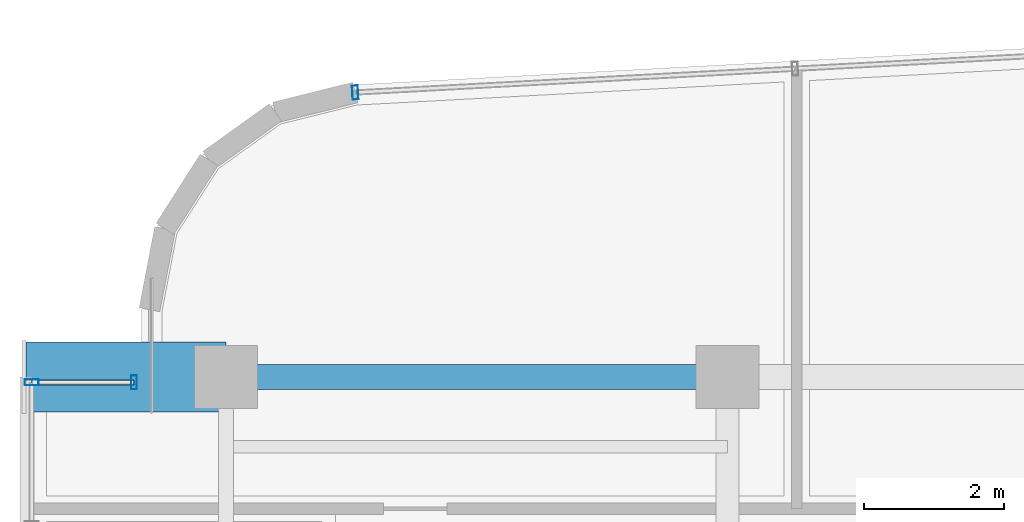
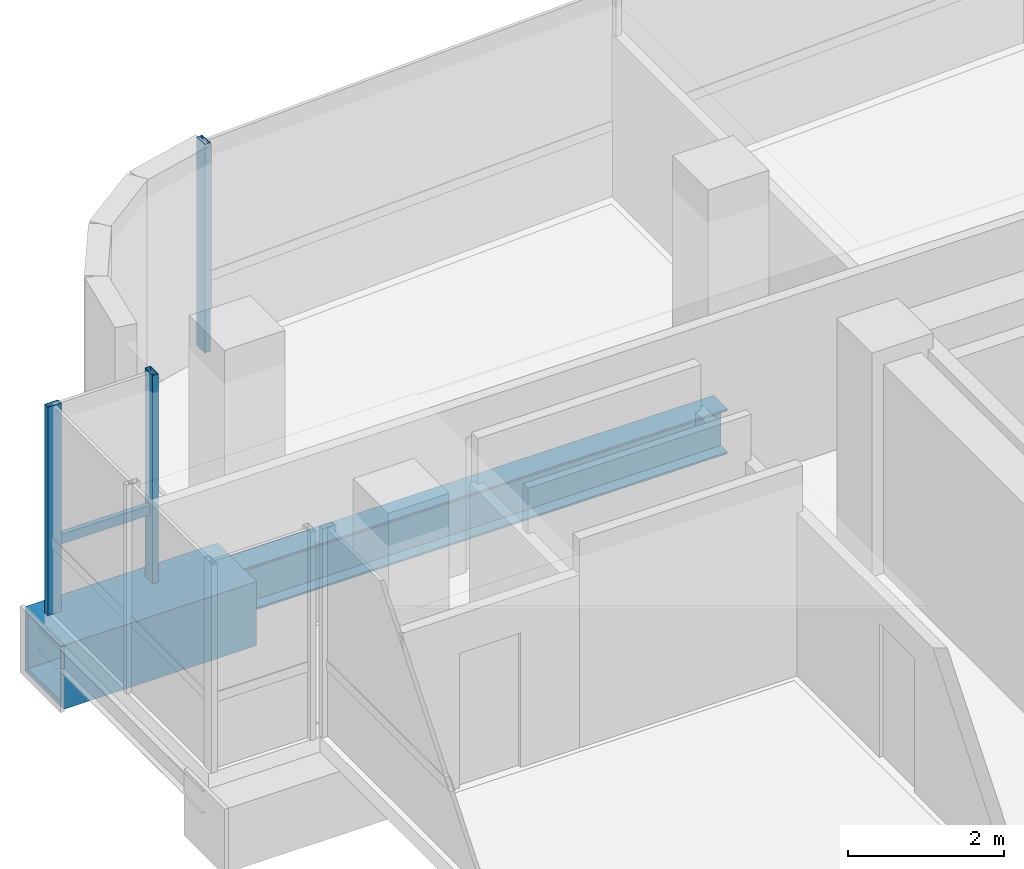
# One storey, part 12 of 21: 4 members, 2 beams, 3 elements without a shape of their own.
"""IFC4 building model written with IfcOpenShell, lengths in metres."""

import ifcopenshell
import ifcopenshell.guid

model = None  # the IFC model being written
_history = None  # IfcOwnerHistory: only IFC2X3 demands one
_inside = {}  # id of a spatial element -> (the spatial element, [elements in it])
_under = {}  # id of a project, library or spatial element -> (it, [spatial elements below it])
_declared = {}  # id of a project -> (the project, [libraries it declares])
_typed = {}  # id of a type object -> (the type object, [elements of that type])
_made_of = {}  # id of a material, layer set ... -> (it, [elements and type objects made of it])


def new_model(schema):
    """Start an empty IFC model of exactly this schema.

    Asked for "IFC4X3", IfcOpenShell would pick the latest addendum, in which some entities
    have other attributes; the version numbers below select the first issue.
    IFC2X3 requires an IfcOwnerHistory on every rooted entity: one is made here for all.
    """
    global model, _history
    if schema == "IFC4X3":
        model = ifcopenshell.file(schema_version=(4, 3, 0, 0))
    else:
        model = ifcopenshell.file(schema=schema)
    _inside.clear()
    _under.clear()
    _declared.clear()
    _typed.clear()
    _made_of.clear()
    _history = None
    if model.schema == "IFC2X3":
        org = make("IfcOrganization", Name="unknown")
        user = make(
            "IfcPersonAndOrganization",
            ThePerson=make("IfcPerson", FamilyName="unknown"),
            TheOrganization=org,
        )
        app = make(
            "IfcApplication",
            ApplicationDeveloper=org,
            Version="unknown",
            ApplicationFullName="unknown",
            ApplicationIdentifier="unknown",
        )
        _history = make(
            "IfcOwnerHistory",
            OwningUser=user,
            OwningApplication=app,
            ChangeAction="ADDED",
            CreationDate=0,
        )
    return model


def make(cls, **values):
    """One entity of the class cls with the attributes given. An attribute that is None is left unset."""
    return model.create_entity(
        cls, **{name: value for name, value in values.items() if value is not None}
    )


def rooted(cls, **values):
    """An entity with a GlobalId (a new one), such as an element, a storey or a relation."""
    return make(cls, GlobalId=ifcopenshell.guid.new(), OwnerHistory=_history, **values)


def si_unit(unit_type, name, prefix=None):
    """IfcSIUnit, for example si_unit("LENGTHUNIT", "METRE", prefix="MILLI")."""
    return make("IfcSIUnit", UnitType=unit_type, Prefix=prefix, Name=name)


def assignment(units):
    """IfcUnitAssignment: the units of a project."""
    return None if units is None else make("IfcUnitAssignment", Units=units)


def point(xyz):
    """IfcCartesianPoint."""
    return None if xyz is None else make("IfcCartesianPoint", Coordinates=xyz)


def direction(xyz):
    """IfcDirection."""
    return None if xyz is None else make("IfcDirection", DirectionRatios=xyz)


def frame(location, z_axis=None, x_axis=None):
    """IfcAxis2Placement3D, a coordinate frame: its origin and axes. An axis left out is left unset."""
    return make(
        "IfcAxis2Placement3D",
        Location=point(location),
        Axis=direction(z_axis),
        RefDirection=direction(x_axis),
    )


def frame_2d(location, x_axis=None):
    """IfcAxis2Placement2D, a coordinate frame in the plane: its origin and x axis."""
    return make(
        "IfcAxis2Placement2D", Location=point(location), RefDirection=direction(x_axis)
    )


def origin():
    """The frame at (0, 0, 0) with its axes left unset."""
    return frame((0.0, 0.0, 0.0))


def origin_2d():
    """The frame at (0, 0) in the plane with its x axis left unset."""
    return frame_2d((0.0, 0.0))


def place(relative_to, where):
    """IfcLocalPlacement: puts the frame where relative to a parent placement (None: the world)."""
    return make(
        "IfcLocalPlacement", PlacementRelTo=relative_to, RelativePlacement=where
    )


def context(
    kind, dimensions, precision=None, world=None, true_north=None, identifier=None
):
    """IfcGeometricRepresentationContext, for example the 3D "Model" context."""
    return make(
        "IfcGeometricRepresentationContext",
        ContextIdentifier=identifier,
        ContextType=kind,
        CoordinateSpaceDimension=dimensions,
        Precision=precision,
        WorldCoordinateSystem=world,
        TrueNorth=true_north,
    )


def subcontext(parent, identifier, kind, view, scale=None):
    """IfcGeometricRepresentationSubContext, for example "Body" below "Model"."""
    return make(
        "IfcGeometricRepresentationSubContext",
        ContextIdentifier=identifier,
        ContextType=kind,
        ParentContext=parent,
        TargetScale=scale,
        TargetView=view,
    )


def project(units=None, contexts=None):
    """IfcProject with its units and contexts."""
    return rooted(
        "IfcProject",
        Name="project",
        RepresentationContexts=contexts,
        UnitsInContext=assignment(units),
    )


def spatial(cls, under=None, at=None, **own):
    """A site, building, storey or space (cls), placed at a placement, below another one or the project."""
    s = rooted(cls, ObjectPlacement=at, **own)
    if under is not None:
        _under.setdefault(under.id(), (under, []))[1].append(s)
    return s


def profile(cls, at=None, kind="AREA", **sizes):
    """A parametric profile (cls). Its sizes go by their IFC names, for example OverallWidth=200.0."""
    return make(cls, ProfileType=kind, Position=at, **sizes)


def hollow_rectangle(**sizes):
    """IfcRectangleHollowProfileDef."""
    return profile("IfcRectangleHollowProfileDef", **sizes)


def i_section(**sizes):
    """IfcIShapeProfileDef."""
    return profile("IfcIShapeProfileDef", **sizes)


def extrude(swept, where, along, depth):
    """IfcExtrudedAreaSolid: the profile swept, set in the frame where, extruded along a direction by depth."""
    return make(
        "IfcExtrudedAreaSolid",
        SweptArea=swept,
        Position=where,
        ExtrudedDirection=direction(along),
        Depth=depth,
    )


def shape(context_of_items, identifier, shape_type, items):
    """IfcShapeRepresentation: the items that make up one representation, for example the "Body"."""
    return make(
        "IfcShapeRepresentation",
        ContextOfItems=context_of_items,
        RepresentationIdentifier=identifier,
        RepresentationType=shape_type,
        Items=items,
    )


def source(mapping_origin, context_of_items, identifier, shape_type, items):
    """IfcRepresentationMap: a shape defined once, which mapped items show again and again."""
    return make(
        "IfcRepresentationMap",
        MappingOrigin=mapping_origin,
        MappedRepresentation=shape(context_of_items, identifier, shape_type, items),
    )


def transform(
    local_origin,
    x_axis=None,
    y_axis=None,
    z_axis=None,
    scale=None,
    scale2=None,
    scale3=None,
    uniform=True,
):
    """IfcCartesianTransformationOperator3D, or its non-uniform kind. x_axis, y_axis, z_axis: its Axis1, 2, 3."""
    if uniform:
        return make(
            "IfcCartesianTransformationOperator3D",
            Axis1=direction(x_axis),
            Axis2=direction(y_axis),
            LocalOrigin=point(local_origin),
            Scale=scale,
            Axis3=direction(z_axis),
        )
    return make(
        "IfcCartesianTransformationOperator3DnonUniform",
        Axis1=direction(x_axis),
        Axis2=direction(y_axis),
        LocalOrigin=point(local_origin),
        Scale=scale,
        Axis3=direction(z_axis),
        Scale2=scale2,
        Scale3=scale3,
    )


def mapped(mapping_source, mapping_target):
    """IfcMappedItem: shows the shape of a source again, moved by a transform."""
    return make(
        "IfcMappedItem", MappingSource=mapping_source, MappingTarget=mapping_target
    )


def material(Name=None, Category=None):
    """IfcMaterial."""
    return make("IfcMaterial", Name=Name, Category=Category)


def material_profile(
    of_material, cross_section, Name=None, Category=None, Priority=None
):
    """IfcMaterialProfile: a cross section and its material."""
    return make(
        "IfcMaterialProfile",
        Name=Name,
        Material=of_material,
        Profile=cross_section,
        Priority=Priority,
        Category=Category,
    )


def profile_set(profiles, Name=None, composite=None):
    """IfcMaterialProfileSet."""
    return make(
        "IfcMaterialProfileSet",
        Name=Name,
        MaterialProfiles=profiles,
        CompositeProfile=composite,
    )


def made_of(thing, what):
    """Note that an element or type object is made of a material, layer set ...; save() writes the relation."""
    if what is not None:
        _made_of.setdefault(what.id(), (what, []))[1].append(thing)
    return thing


def type_object(cls, material=None, **own):
    """A type object (cls), such as IfcWallType, which elements share."""
    return made_of(rooted(cls, **own), material)


def element(
    cls,
    number,
    at=None,
    inside=None,
    cuts=None,
    type_object=None,
    material=None,
    context=None,
    identifier="Body",
    shape_type=None,
    held_by="IfcProductDefinitionShape",
    body=None,
    shapes=None,
    **own,
):
    """One element of the class cls, such as IfcWall. Its Tag is "e" and its number.

    at: its placement. inside: the storey or other place that contains it. cuts: it is an
    opening in that element (IfcRelVoidsElement). A single representation is given by context,
    identifier, shape_type and body (its items); several are given by shapes. held_by: the class
    of the entity that holds the representations. save() writes the other relations.
    """
    e = rooted(cls, Tag="e%d" % number, ObjectPlacement=at, **own)
    if body is not None:
        shapes = [shape(context, identifier, shape_type, body)]
    if shapes is not None:
        e.Representation = make(held_by, Representations=shapes)
    if inside is not None:
        _inside.setdefault(inside.id(), (inside, []))[1].append(e)
    if cuts is not None:
        rooted(
            "IfcRelVoidsElement", RelatingBuildingElement=cuts, RelatedOpeningElement=e
        )
    if type_object is not None:
        _typed.setdefault(type_object.id(), (type_object, []))[1].append(e)
    return made_of(e, material)


def aggregate(whole, parts):
    """IfcRelAggregates: a whole, such as a stair, and the parts it consists of."""
    return rooted("IfcRelAggregates", RelatingObject=whole, RelatedObjects=parts)


def save(model, path):
    """Write the relations noted so far, then the file.

    IfcRelAggregates (storeys below a building ...), IfcRelContainedInSpatialStructure (elements
    in a storey), IfcRelDefinesByType, IfcRelAssociatesMaterial and IfcRelDeclares: one each for
    every whole, place, type object, material and project.
    """
    for whole, parts in _under.values():
        aggregate(whole, parts)
    for where, things in _inside.values():
        rooted(
            "IfcRelContainedInSpatialStructure",
            RelatedElements=things,
            RelatingStructure=where,
        )
    for kind, things in _typed.values():
        rooted("IfcRelDefinesByType", RelatedObjects=things, RelatingType=kind)
    for what, things in _made_of.values():
        rooted("IfcRelAssociatesMaterial", RelatedObjects=things, RelatingMaterial=what)
    for by, libraries in _declared.values():
        rooted("IfcRelDeclares", RelatingContext=by, RelatedDefinitions=libraries)
    model.write(path)


model = new_model("IFC4")

# Units and contexts
model_context = context("Model", 3, precision=1e-05, world=origin(), true_north=direction((0.0, 1.0)))
body_context = subcontext(model_context, "Body", "Model", "MODEL_VIEW")
ifc_project = project(units=[si_unit("LENGTHUNIT", "METRE"), si_unit("AREAUNIT", "SQUARE_METRE"), si_unit("VOLUMEUNIT", "CUBIC_METRE"), si_unit("PLANEANGLEUNIT", "RADIAN"), si_unit("MASSUNIT", "GRAM", prefix="KILO")], contexts=[model_context])

# Site, building, storey
site_placement = place(None, origin())
site = spatial("IfcSite", under=ifc_project, at=site_placement, CompositionType="ELEMENT")
building_placement = place(site_placement, origin())
building = spatial("IfcBuilding", under=site, at=building_placement, Name="Valdorenza Pilgrim Sanctuary Tower", CompositionType="ELEMENT")
storey_placement = place(building_placement, frame((0.0, 0.0, 219.5)))
storey = spatial("IfcBuildingStorey", under=building, at=storey_placement, Name="L56", CompositionType="ELEMENT", Elevation=219.5)

# Beams
ifc_material_1 = material(Name="Steel ASTM A572 Grade 42", Category="steel")
ifc_material_profile_1 = material_profile(ifc_material_1, hollow_rectangle(XDim=1.0, YDim=1.0, WallThickness=0.080078125, at=origin_2d()), Name="BOX 1000x1000x80")
ifc_profile_set_1 = profile_set([ifc_material_profile_1], Name="Steel ASTM A572 Grade 42")
beam_type_1 = type_object("IfcBeamType", Name="STR-BM-PROW-CANT", PredefinedType="BEAM", material=ifc_profile_set_1)
shared_shape_1 = source(origin(), body_context, "Body", "SweptSolid", [
    extrude(hollow_rectangle(XDim=1.0, YDim=1.0, WallThickness=0.080078125, at=origin_2d()), origin(), (0.0, 0.0, 1.0), 2.849853515625),
])
beam_1_placement = place(storey_placement, frame((-29.800048828125, 14.800048828125, -0.739990234375), z_axis=(-1.0, 0.0, 0.0), x_axis=(0.0, -1.0, 0.0)))
element("IfcBeam", 1, at=beam_1_placement, inside=storey, type_object=beam_type_1, Name="L56 Glass Box Cantilever Beam BOX-WA-L56-CT-N", PredefinedType="BEAM", context=body_context, shape_type="MappedRepresentation", body=[
    mapped(shared_shape_1, transform((0.0, 0.0, 0.0), x_axis=(1.0, 0.0, 0.0), y_axis=(0.0, 1.0, 0.0), z_axis=(0.0, 0.0, 1.0), scale=1.0)),
])
ifc_material_2 = material(Name="Steel ASTM A992 Grade 50", Category="steel")
ifc_material_profile_2 = material_profile(ifc_material_2, i_section(OverallWidth=0.35595703125, OverallDepth=0.700927734375, WebThickness=0.016845703125, FlangeThickness=0.02734375, at=origin_2d()), Name="W27X161")
ifc_profile_set_2 = profile_set([ifc_material_profile_2], Name="Steel ASTM A992 Grade 50")
beam_type_2 = type_object("IfcBeamType", Name="STR-BM-GRD-W27", PredefinedType="BEAM", material=ifc_profile_set_2)
shared_shape_2 = source(origin(), body_context, "Body", "SweptSolid", [
    extrude(i_section(OverallWidth=0.35595703125, OverallDepth=0.700927734375, WebThickness=0.016845703125, FlangeThickness=0.02734375, at=origin_2d()), origin(), (0.0, 0.0, 1.0), 7.150146484375),
])
beam_2_placement = place(storey_placement, frame((-29.800048828125, 14.800048828125, -0.590576171875), z_axis=(1.0, 0.0, 0.0), x_axis=(0.0, 1.0, 0.0)))
element("IfcBeam", 2, at=beam_2_placement, inside=storey, type_object=beam_type_2, Name="L56 Floor Girder WA-XW-N2", PredefinedType="BEAM", context=body_context, shape_type="MappedRepresentation", body=[
    mapped(shared_shape_2, transform((0.0, 0.0, 0.0), x_axis=(1.0, 0.0, 0.0), y_axis=(0.0, 1.0, 0.0), z_axis=(0.0, 0.0, 1.0), scale=1.0)),
])

# Curtain wall, member
ifc_material_3 = material(Name="Curtain-wall IGU glazing", Category="glass")
curtain_wall_type = type_object("IfcCurtainWallType", Name="CW-SYS-02", PredefinedType="NOTDEFINED", material=ifc_material_3)
curtain_wall_1_placement = place(storey_placement, origin())
curtain_wall_1 = element("IfcCurtainWall", 3, at=curtain_wall_1_placement, inside=storey, type_object=curtain_wall_type, Name="L56 Curtain Wall CW-L56-BOX-WA-L56-N", PredefinedType="NOTDEFINED")
ifc_material_4 = material(Name="Anodised aluminium AW-6060", Category="aluminium")
ifc_material_profile_3 = material_profile(ifc_material_4, hollow_rectangle(XDim=0.074951171875, YDim=0.14990234375, WallThickness=0.00390625, at=origin_2d()), Name="ALU-T 150x75x4")
ifc_profile_set_3 = profile_set([ifc_material_profile_3], Name="Anodised aluminium AW-6060")
member_type_1 = type_object("IfcMemberType", Name="CW-TRN-02", PredefinedType="USERDEFINED", material=ifc_profile_set_3)
shared_shape_3 = source(origin(), body_context, "Body", "SweptSolid", [
    extrude(hollow_rectangle(XDim=0.074951171875, YDim=0.14990234375, WallThickness=0.00390625, at=origin_2d()), origin(), (0.0, 0.0, 1.0), 1.4599609375),
])
member_1_placement = place(storey_placement, frame((-32.570068359375, 14.719970703125, 1.1201171875), z_axis=(1.0, 0.0, 0.0), x_axis=(0.0, 1.0, 0.0)))
member_1 = element("IfcMember", 4, at=member_1_placement, type_object=member_type_1, Name="CW-L56-BOX-WA-L56-N Transom 1", ObjectType="TRANSOM", PredefinedType="USERDEFINED", context=body_context, shape_type="MappedRepresentation", body=[
    mapped(shared_shape_3, transform((0.0, 0.0, 0.0), x_axis=(1.0, 0.0, 0.0), y_axis=(0.0, 1.0, 0.0), z_axis=(0.0, 0.0, 1.0), scale=1.0)),
])

curtain_wall_2_placement = place(storey_placement, origin())
curtain_wall_2 = element("IfcCurtainWall", 5, at=curtain_wall_2_placement, inside=storey, type_object=curtain_wall_type, Name="L56 Curtain Wall CW-L56-1-6", PredefinedType="NOTDEFINED")
ifc_material_profile_4 = material_profile(ifc_material_4, hollow_rectangle(XDim=0.0849609375, YDim=0.199951171875, WallThickness=0.0048828125, at=origin_2d()), Name="ALU-M 200x85x5")
ifc_profile_set_4 = profile_set([ifc_material_profile_4], Name="Anodised aluminium AW-6060")
member_type_2 = type_object("IfcMemberType", Name="CW-MUL-02", PredefinedType="MULLION", material=ifc_profile_set_4)
shared_shape_4 = source(origin(), body_context, "Body", "SweptSolid", [
    extrude(hollow_rectangle(XDim=0.0849609375, YDim=0.199951171875, WallThickness=0.0048828125, at=origin_2d()), origin(), (0.0, 0.0, 1.0), 3.260009765625),
])
member_2_placement = place(storey_placement, frame((-27.9560546875, 18.85400390625, 0.0), z_axis=(0.0, 0.0, 1.0), x_axis=(0.998547034311, 0.053887106711, 0.0)))
member_2 = element("IfcMember", 6, at=member_2_placement, type_object=member_type_2, Name="CW-L56-1-6 Mullion 1", PredefinedType="MULLION", context=body_context, shape_type="MappedRepresentation", body=[
    mapped(shared_shape_4, transform((0.0, 0.0, 0.0), x_axis=(1.0, 0.0, 0.0), y_axis=(0.0, 1.0, 0.0), z_axis=(0.0, 0.0, 1.0), scale=1.0)),
])
aggregate(curtain_wall_2, [member_2])

curtain_wall_3_placement = place(storey_placement, origin())
curtain_wall_3 = element("IfcCurtainWall", 7, at=curtain_wall_3_placement, inside=storey, type_object=curtain_wall_type, Name="L56 Curtain Wall CW-L56-BOX-WA-L56-F", PredefinedType="NOTDEFINED")
member_3_placement = place(storey_placement, frame((-32.570068359375, 14.719970703125, 0.0), z_axis=(0.0, 0.0, 1.0), x_axis=(0.0, 1.0, 0.0)))
member_3 = element("IfcMember", 8, at=member_3_placement, type_object=member_type_2, Name="CW-L56-BOX-WA-L56-F Mullion 3", PredefinedType="MULLION", context=body_context, shape_type="MappedRepresentation", body=[
    mapped(shared_shape_4, transform((0.0, 0.0, 0.0), x_axis=(1.0, 0.0, 0.0), y_axis=(0.0, 1.0, 0.0), z_axis=(0.0, 0.0, 1.0), scale=1.0)),
])
aggregate(curtain_wall_3, [member_3])

# Member
member_4_placement = place(storey_placement, frame((-31.110107421875, 14.719970703125, 0.0), z_axis=(0.0, 0.0, 1.0), x_axis=(1.0, 0.0, 0.0)))
member_4 = element("IfcMember", 9, at=member_4_placement, type_object=member_type_2, Name="CW-L56-BOX-WA-L56-N Mullion 2", PredefinedType="MULLION", context=body_context, shape_type="MappedRepresentation", body=[
    mapped(shared_shape_4, transform((0.0, 0.0, 0.0), x_axis=(1.0, 0.0, 0.0), y_axis=(0.0, 1.0, 0.0), z_axis=(0.0, 0.0, 1.0), scale=1.0)),
])

aggregate(curtain_wall_1, [member_4, member_1])

save(model, "model.ifc")
